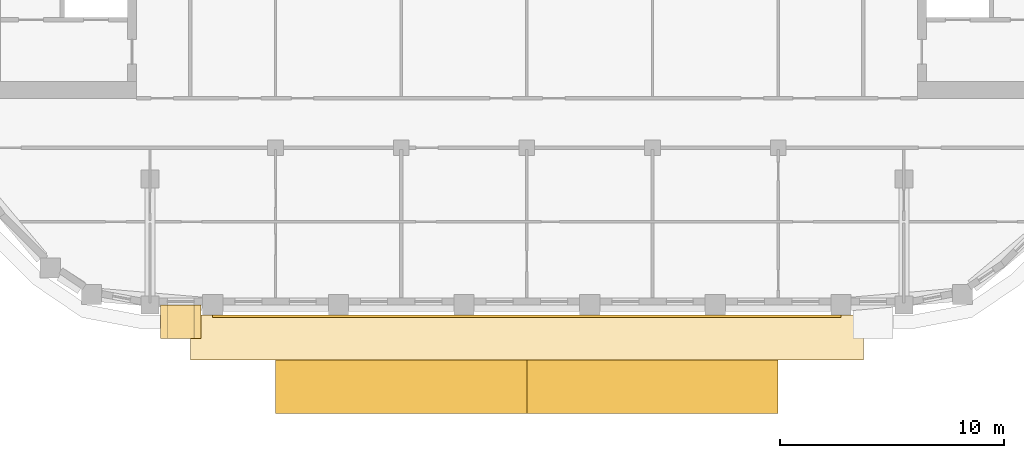
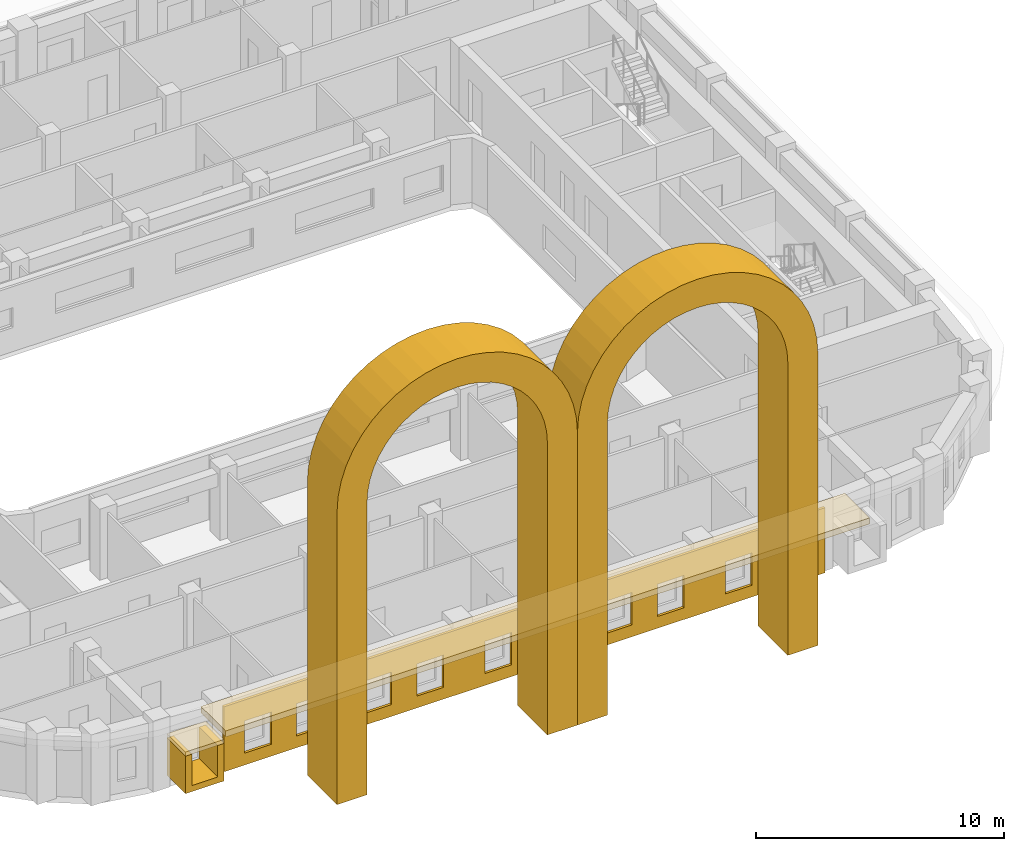
# One storey, part 9 of 18: 6 coverings.
"""IFC4 building model written with IfcOpenShell, lengths in metres."""

import ifcopenshell
import ifcopenshell.guid

model = None  # the IFC model being written
_history = None  # IfcOwnerHistory: only IFC2X3 demands one
_inside = {}  # id of a spatial element -> (the spatial element, [elements in it])
_under = {}  # id of a project, library or spatial element -> (it, [spatial elements below it])
_declared = {}  # id of a project -> (the project, [libraries it declares])
_typed = {}  # id of a type object -> (the type object, [elements of that type])
_made_of = {}  # id of a material, layer set ... -> (it, [elements and type objects made of it])


def new_model(schema):
    """Start an empty IFC model of exactly this schema.

    Asked for "IFC4X3", IfcOpenShell would pick the latest addendum, in which some entities
    have other attributes; the version numbers below select the first issue.
    IFC2X3 requires an IfcOwnerHistory on every rooted entity: one is made here for all.
    """
    global model, _history
    if schema == "IFC4X3":
        model = ifcopenshell.file(schema_version=(4, 3, 0, 0))
    else:
        model = ifcopenshell.file(schema=schema)
    _inside.clear()
    _under.clear()
    _declared.clear()
    _typed.clear()
    _made_of.clear()
    _history = None
    if model.schema == "IFC2X3":
        org = make("IfcOrganization", Name="unknown")
        user = make(
            "IfcPersonAndOrganization",
            ThePerson=make("IfcPerson", FamilyName="unknown"),
            TheOrganization=org,
        )
        app = make(
            "IfcApplication",
            ApplicationDeveloper=org,
            Version="unknown",
            ApplicationFullName="unknown",
            ApplicationIdentifier="unknown",
        )
        _history = make(
            "IfcOwnerHistory",
            OwningUser=user,
            OwningApplication=app,
            ChangeAction="ADDED",
            CreationDate=0,
        )
    return model


def make(cls, **values):
    """One entity of the class cls with the attributes given. An attribute that is None is left unset."""
    return model.create_entity(
        cls, **{name: value for name, value in values.items() if value is not None}
    )


def rooted(cls, **values):
    """An entity with a GlobalId (a new one), such as an element, a storey or a relation."""
    return make(cls, GlobalId=ifcopenshell.guid.new(), OwnerHistory=_history, **values)


def si_unit(unit_type, name, prefix=None):
    """IfcSIUnit, for example si_unit("LENGTHUNIT", "METRE", prefix="MILLI")."""
    return make("IfcSIUnit", UnitType=unit_type, Prefix=prefix, Name=name)


def assignment(units):
    """IfcUnitAssignment: the units of a project."""
    return None if units is None else make("IfcUnitAssignment", Units=units)


def point(xyz):
    """IfcCartesianPoint."""
    return None if xyz is None else make("IfcCartesianPoint", Coordinates=xyz)


def direction(xyz):
    """IfcDirection."""
    return None if xyz is None else make("IfcDirection", DirectionRatios=xyz)


def frame(location, z_axis=None, x_axis=None):
    """IfcAxis2Placement3D, a coordinate frame: its origin and axes. An axis left out is left unset."""
    return make(
        "IfcAxis2Placement3D",
        Location=point(location),
        Axis=direction(z_axis),
        RefDirection=direction(x_axis),
    )


def frame_2d(location, x_axis=None):
    """IfcAxis2Placement2D, a coordinate frame in the plane: its origin and x axis."""
    return make(
        "IfcAxis2Placement2D", Location=point(location), RefDirection=direction(x_axis)
    )


def origin():
    """The frame at (0, 0, 0) with its axes left unset."""
    return frame((0.0, 0.0, 0.0))


def origin_2d():
    """The frame at (0, 0) in the plane with its x axis left unset."""
    return frame_2d((0.0, 0.0))


def place(relative_to, where):
    """IfcLocalPlacement: puts the frame where relative to a parent placement (None: the world)."""
    return make(
        "IfcLocalPlacement", PlacementRelTo=relative_to, RelativePlacement=where
    )


def context(
    kind, dimensions, precision=None, world=None, true_north=None, identifier=None
):
    """IfcGeometricRepresentationContext, for example the 3D "Model" context."""
    return make(
        "IfcGeometricRepresentationContext",
        ContextIdentifier=identifier,
        ContextType=kind,
        CoordinateSpaceDimension=dimensions,
        Precision=precision,
        WorldCoordinateSystem=world,
        TrueNorth=true_north,
    )


def subcontext(parent, identifier, kind, view, scale=None):
    """IfcGeometricRepresentationSubContext, for example "Body" below "Model"."""
    return make(
        "IfcGeometricRepresentationSubContext",
        ContextIdentifier=identifier,
        ContextType=kind,
        ParentContext=parent,
        TargetScale=scale,
        TargetView=view,
    )


def project(units=None, contexts=None):
    """IfcProject with its units and contexts."""
    return rooted(
        "IfcProject",
        Name="project",
        RepresentationContexts=contexts,
        UnitsInContext=assignment(units),
    )


def spatial(cls, under=None, at=None, **own):
    """A site, building, storey or space (cls), placed at a placement, below another one or the project."""
    s = rooted(cls, ObjectPlacement=at, **own)
    if under is not None:
        _under.setdefault(under.id(), (under, []))[1].append(s)
    return s


def polyline(points):
    """IfcPolyline through the points."""
    return make("IfcPolyline", Points=[point(p) for p in points])


def profile(cls, at=None, kind="AREA", **sizes):
    """A parametric profile (cls). Its sizes go by their IFC names, for example OverallWidth=200.0."""
    return make(cls, ProfileType=kind, Position=at, **sizes)


def rectangle(**sizes):
    """IfcRectangleProfileDef."""
    return profile("IfcRectangleProfileDef", **sizes)


def outline(outer, holes=None, kind="AREA"):
    """IfcArbitraryClosedProfileDef: a profile drawn as a closed curve; with holes, ...WithVoids."""
    if holes is None:
        return make("IfcArbitraryClosedProfileDef", ProfileType=kind, OuterCurve=outer)
    return make(
        "IfcArbitraryProfileDefWithVoids",
        ProfileType=kind,
        OuterCurve=outer,
        InnerCurves=holes,
    )


def extrude(swept, where, along, depth):
    """IfcExtrudedAreaSolid: the profile swept, set in the frame where, extruded along a direction by depth."""
    return make(
        "IfcExtrudedAreaSolid",
        SweptArea=swept,
        Position=where,
        ExtrudedDirection=direction(along),
        Depth=depth,
    )


def shape(context_of_items, identifier, shape_type, items):
    """IfcShapeRepresentation: the items that make up one representation, for example the "Body"."""
    return make(
        "IfcShapeRepresentation",
        ContextOfItems=context_of_items,
        RepresentationIdentifier=identifier,
        RepresentationType=shape_type,
        Items=items,
    )


def material(Name=None, Category=None):
    """IfcMaterial."""
    return make("IfcMaterial", Name=Name, Category=Category)


def layer(
    of_material, thickness, ventilated=None, Name=None, Category=None, Priority=None
):
    """IfcMaterialLayer: one layer of a wall or slab, of a material (None: an air gap)."""
    return make(
        "IfcMaterialLayer",
        Material=of_material,
        LayerThickness=thickness,
        IsVentilated=ventilated,
        Name=Name,
        Category=Category,
        Priority=Priority,
    )


def layer_set(layers, Name=None):
    """IfcMaterialLayerSet."""
    return make("IfcMaterialLayerSet", MaterialLayers=layers, LayerSetName=Name)


def made_of(thing, what):
    """Note that an element or type object is made of a material, layer set ...; save() writes the relation."""
    if what is not None:
        _made_of.setdefault(what.id(), (what, []))[1].append(thing)
    return thing


def type_object(cls, material=None, **own):
    """A type object (cls), such as IfcWallType, which elements share."""
    return made_of(rooted(cls, **own), material)


def element(
    cls,
    number,
    at=None,
    inside=None,
    cuts=None,
    type_object=None,
    material=None,
    context=None,
    identifier="Body",
    shape_type=None,
    held_by="IfcProductDefinitionShape",
    body=None,
    shapes=None,
    **own,
):
    """One element of the class cls, such as IfcWall. Its Tag is "e" and its number.

    at: its placement. inside: the storey or other place that contains it. cuts: it is an
    opening in that element (IfcRelVoidsElement). A single representation is given by context,
    identifier, shape_type and body (its items); several are given by shapes. held_by: the class
    of the entity that holds the representations. save() writes the other relations.
    """
    e = rooted(cls, Tag="e%d" % number, ObjectPlacement=at, **own)
    if body is not None:
        shapes = [shape(context, identifier, shape_type, body)]
    if shapes is not None:
        e.Representation = make(held_by, Representations=shapes)
    if inside is not None:
        _inside.setdefault(inside.id(), (inside, []))[1].append(e)
    if cuts is not None:
        rooted(
            "IfcRelVoidsElement", RelatingBuildingElement=cuts, RelatedOpeningElement=e
        )
    if type_object is not None:
        _typed.setdefault(type_object.id(), (type_object, []))[1].append(e)
    return made_of(e, material)


def aggregate(whole, parts):
    """IfcRelAggregates: a whole, such as a stair, and the parts it consists of."""
    return rooted("IfcRelAggregates", RelatingObject=whole, RelatedObjects=parts)


def save(model, path):
    """Write the relations noted so far, then the file.

    IfcRelAggregates (storeys below a building ...), IfcRelContainedInSpatialStructure (elements
    in a storey), IfcRelDefinesByType, IfcRelAssociatesMaterial and IfcRelDeclares: one each for
    every whole, place, type object, material and project.
    """
    for whole, parts in _under.values():
        aggregate(whole, parts)
    for where, things in _inside.values():
        rooted(
            "IfcRelContainedInSpatialStructure",
            RelatedElements=things,
            RelatingStructure=where,
        )
    for kind, things in _typed.values():
        rooted("IfcRelDefinesByType", RelatedObjects=things, RelatingType=kind)
    for what, things in _made_of.values():
        rooted("IfcRelAssociatesMaterial", RelatedObjects=things, RelatingMaterial=what)
    for by, libraries in _declared.values():
        rooted("IfcRelDeclares", RelatingContext=by, RelatedDefinitions=libraries)
    model.write(path)


model = new_model("IFC4")

# Units and contexts
model_context = context("Model", 3, precision=1e-05, world=origin(), true_north=direction((0.0, 1.0)))
body_context = subcontext(model_context, "Body", "Model", "MODEL_VIEW")
ifc_project = project(units=[si_unit("LENGTHUNIT", "METRE"), si_unit("AREAUNIT", "SQUARE_METRE"), si_unit("VOLUMEUNIT", "CUBIC_METRE"), si_unit("PLANEANGLEUNIT", "RADIAN"), si_unit("MASSUNIT", "GRAM", prefix="KILO")], contexts=[model_context])

# Site, building, storey
site_placement = place(None, origin())
site = spatial("IfcSite", under=ifc_project, at=site_placement, CompositionType="ELEMENT")
building_placement = place(site_placement, origin())
building = spatial("IfcBuilding", under=site, at=building_placement, Name="Kiln Ring Residences", CompositionType="ELEMENT")
storey_placement = place(building_placement, frame((0.0, 0.0, 209.89990234375)))
storey = spatial("IfcBuildingStorey", under=building, at=storey_placement, Name="L54", CompositionType="ELEMENT", Elevation=209.89990234375)

# Coverings
ifc_material_1 = material(Name="Brick masonry, dark clay brick", Category="masonry")
ifc_layer_1 = layer(ifc_material_1, 1.39990234375)
ifc_layer_set_1 = layer_set([ifc_layer_1], Name="ARCH SURROUND 2400")
covering_type_1 = type_object("IfcCoveringType", Name="ARCH SURROUND 2400", PredefinedType="CLADDING", material=ifc_layer_set_1)
covering_1_placement = place(storey_placement, frame((0.0, -26.050048828125, 0.0), z_axis=(0.0, 0.0, 1.0), x_axis=(-1.0, 0.0, 0.0)))
element("IfcCovering", 1, at=covering_1_placement, inside=storey, type_object=covering_type_1, Name="ARCH SURROUND Z4 S2.1", PredefinedType="CLADDING", context=body_context, shape_type="SweptSolid", body=[
    extrude(outline(polyline([(11.199951171875, 0.0), (11.199951171875, 14.400146484375), (11.152099609375, 15.131103515625), (11.00927734375, 15.849609375), (10.773681640625, 16.543212890625), (10.44970703125, 17.2001953125), (10.042724609375, 17.80908203125), (9.559814453125, 18.35986328125), (9.009033203125, 18.843017578125), (8.39990234375, 19.249755859375), (7.742919921875, 19.57373046875), (7.04931640625, 19.809326171875), (6.330810546875, 19.9521484375), (5.60009765625, 20.0), (4.869140625, 19.9521484375), (4.150634765625, 19.809326171875), (3.45703125, 19.57373046875), (2.800048828125, 19.249755859375), (2.19091796875, 18.843017578125), (1.64013671875, 18.35986328125), (1.1572265625, 17.80908203125), (0.750244140625, 17.2001953125), (0.42626953125, 16.543212890625), (0.19091796875, 15.849609375), (0.0478515625, 15.131103515625), (0.0, 14.400146484375), (0.0, 0.0), (1.39990234375, 0.0), (1.39990234375, 14.400146484375), (1.435791015625, 14.9482421875), (1.543212890625, 15.487060546875), (1.7197265625, 16.00732421875), (1.962646484375, 16.5), (2.267822265625, 16.956787109375), (2.630126953125, 17.369873046875), (3.043212890625, 17.732177734375), (3.5, 18.037353515625), (3.99267578125, 18.280517578125), (4.512939453125, 18.45703125), (5.0517578125, 18.564208984375), (5.60009765625, 18.60009765625), (6.148193359375, 18.564208984375), (6.68701171875, 18.45703125), (7.207275390625, 18.280517578125), (7.699951171875, 18.037353515625), (8.15673828125, 17.732177734375), (8.56982421875, 17.369873046875), (8.93212890625, 16.956787109375), (9.2373046875, 16.5), (9.480224609375, 16.00732421875), (9.656982421875, 15.487060546875), (9.76416015625, 14.9482421875), (9.800048828125, 14.400146484375), (9.800048828125, 0.0), (11.199951171875, 0.0)])), frame((0.0, 1.199951171875, 0.0), z_axis=(0.0, -1.0, 0.0), x_axis=(1.0, 0.0, 0.0)), (0.0, 0.0, 1.0), 2.39990234375),
])
covering_2_placement = place(storey_placement, frame((11.199951171875, -26.050048828125, 0.0), z_axis=(0.0, 0.0, 1.0), x_axis=(-1.0, 0.0, 0.0)))
element("IfcCovering", 2, at=covering_2_placement, inside=storey, type_object=covering_type_1, Name="ARCH SURROUND Z4 S2.2", PredefinedType="CLADDING", context=body_context, shape_type="SweptSolid", body=[
    extrude(outline(polyline([(11.199951171875, 0.0), (11.199951171875, 14.400146484375), (11.152099609375, 15.131103515625), (11.00927734375, 15.849609375), (10.773681640625, 16.543212890625), (10.44970703125, 17.2001953125), (10.042724609375, 17.80908203125), (9.559814453125, 18.35986328125), (9.009033203125, 18.843017578125), (8.39990234375, 19.249755859375), (7.742919921875, 19.57373046875), (7.04931640625, 19.809326171875), (6.330810546875, 19.9521484375), (5.60009765625, 20.0), (4.869140625, 19.9521484375), (4.150634765625, 19.809326171875), (3.45703125, 19.57373046875), (2.800048828125, 19.249755859375), (2.19091796875, 18.843017578125), (1.64013671875, 18.35986328125), (1.1572265625, 17.80908203125), (0.750244140625, 17.2001953125), (0.42626953125, 16.543212890625), (0.19091796875, 15.849609375), (0.0478515625, 15.131103515625), (0.0, 14.400146484375), (0.0, 0.0), (1.39990234375, 0.0), (1.39990234375, 14.400146484375), (1.435791015625, 14.9482421875), (1.543212890625, 15.487060546875), (1.7197265625, 16.00732421875), (1.962646484375, 16.5), (2.267822265625, 16.956787109375), (2.630126953125, 17.369873046875), (3.043212890625, 17.732177734375), (3.5, 18.037353515625), (3.99267578125, 18.280517578125), (4.512939453125, 18.45703125), (5.0517578125, 18.564208984375), (5.60009765625, 18.60009765625), (6.148193359375, 18.564208984375), (6.68701171875, 18.45703125), (7.207275390625, 18.280517578125), (7.699951171875, 18.037353515625), (8.15673828125, 17.732177734375), (8.56982421875, 17.369873046875), (8.93212890625, 16.956787109375), (9.2373046875, 16.5), (9.480224609375, 16.00732421875), (9.656982421875, 15.487060546875), (9.76416015625, 14.9482421875), (9.800048828125, 14.400146484375), (9.800048828125, 0.0), (11.199951171875, 0.0)])), frame((0.0, 1.199951171875, 0.0), z_axis=(0.0, -1.0, 0.0), x_axis=(1.0, 0.0, 0.0)), (0.0, 0.0, 1.0), 2.39990234375),
])
ifc_material_2 = material(Name="Brick masonry, dark clay brick", Category="masonry")
ifc_layer_2 = layer(ifc_material_2, 0.300048828125)
ifc_layer_set_2 = layer_set([ifc_layer_2], Name="FRAME CHEEKS AND SILL 1500")
covering_type_2 = type_object("IfcCoveringType", Name="FRAME CHEEKS AND SILL 1500", PredefinedType="CLADDING", material=ifc_layer_set_2)
covering_3_placement = place(storey_placement, frame((-16.324951171875, -23.14990234375, 0.300048828125), z_axis=(0.0, 0.0, 1.0), x_axis=(1.0, 0.0, 0.0)))
element("IfcCovering", 3, at=covering_3_placement, inside=storey, type_object=covering_type_2, Name="FRAME L54", PredefinedType="CLADDING", context=body_context, shape_type="SweptSolid", body=[
    extrude(outline(polyline([(0.0, 0.0), (1.800048828125, 0.0), (1.800048828125, 1.85009765625), (1.5009765625, 1.85009765625), (1.5, 0.300048828125), (0.300048828125, 0.300048828125), (0.299072265625, 1.85009765625), (0.0, 1.85009765625), (0.0, 0.0)])), frame((0.0, 0.75, 0.0), z_axis=(0.0, -1.0, 0.0), x_axis=(1.0, 0.0, 0.0)), (0.0, 0.0, 1.0), 1.5),
])
ifc_material_3 = material(Name="Brick masonry, dark clay brick", Category="masonry")
ifc_layer_3 = layer(ifc_material_3, 0.199951171875)
ifc_layer_set_3 = layer_set([ifc_layer_3], Name="FRAME HEAD 1500")
covering_type_3 = type_object("IfcCoveringType", Name="FRAME HEAD 1500", PredefinedType="CLADDING", material=ifc_layer_set_3)
covering_4_placement = place(storey_placement, frame((-15.425048828125, -23.14990234375, 2.14990234375), z_axis=(0.0, 0.0, 1.0), x_axis=(1.0, 0.0, 0.0)))
element("IfcCovering", 4, at=covering_4_placement, inside=storey, type_object=covering_type_3, Name="FRAME HEAD L54", PredefinedType="CLADDING", context=body_context, shape_type="SweptSolid", body=[
    extrude(rectangle(XDim=1.800048828125, YDim=1.5, at=origin_2d()), origin(), (0.0, 0.0, 1.0), 0.199951171875),
])
ifc_material_4 = material(Name="Brick masonry, dark clay brick", Category="masonry")
ifc_layer_4 = layer(ifc_material_4, 0.1201171875)
ifc_layer_set_4 = layer_set([ifc_layer_4], Name="RAINSCREEN PANEL 120")
covering_type_4 = type_object("IfcCoveringType", Name="RAINSCREEN PANEL 120", PredefinedType="CLADDING", material=ifc_layer_set_4)
covering_5_placement = place(storey_placement, frame((-14.0, -22.909912109375, 0.0), z_axis=(0.0, 0.0, 1.0), x_axis=(1.0, 0.0, 0.0)))
element("IfcCovering", 5, at=covering_5_placement, inside=storey, type_object=covering_type_4, Name="RAINSCREEN L54", PredefinedType="CLADDING", context=body_context, shape_type="SweptSolid", body=[
    extrude(outline(polyline([(0.0, 0.0), (28.0, 0.0), (28.0, 3.2001953125), (0.0, 3.2001953125), (0.0, 0.0)]), holes=[polyline([(0.967529296875, 0.580078125), (2.20751953125, 0.580078125), (2.20751953125, 2.170166015625), (0.967529296875, 2.170166015625), (0.967529296875, 0.580078125)]), polyline([(3.392578125, 0.580078125), (4.632568359375, 0.580078125), (4.632568359375, 2.170166015625), (3.392578125, 2.170166015625), (3.392578125, 0.580078125)]), polyline([(6.5673828125, 0.580078125), (7.8076171875, 0.580078125), (7.8076171875, 2.170166015625), (6.5673828125, 2.170166015625), (6.5673828125, 0.580078125)]), polyline([(8.992431640625, 2.170166015625), (8.992431640625, 0.580078125), (10.232421875, 0.580078125), (10.232421875, 2.170166015625), (8.992431640625, 2.170166015625)]), polyline([(12.16748046875, 2.170166015625), (12.16748046875, 0.580078125), (13.407470703125, 0.580078125), (13.407470703125, 2.170166015625), (12.16748046875, 2.170166015625)]), polyline([(14.592529296875, 0.580078125), (15.83251953125, 0.580078125), (15.83251953125, 2.170166015625), (14.592529296875, 2.170166015625), (14.592529296875, 0.580078125)]), polyline([(17.767578125, 0.580078125), (19.007568359375, 0.580078125), (19.007568359375, 2.170166015625), (17.767578125, 2.170166015625), (17.767578125, 0.580078125)]), polyline([(20.1923828125, 0.580078125), (21.4326171875, 0.580078125), (21.4326171875, 2.170166015625), (20.1923828125, 2.170166015625), (20.1923828125, 0.580078125)]), polyline([(23.367431640625, 2.170166015625), (23.367431640625, 0.580078125), (24.607421875, 0.580078125), (24.607421875, 2.170166015625), (23.367431640625, 2.170166015625)]), polyline([(25.79248046875, 2.170166015625), (25.79248046875, 0.580078125), (27.032470703125, 0.580078125), (27.032470703125, 2.170166015625), (25.79248046875, 2.170166015625)])]), frame((0.0, 0.06005859375, 0.0), z_axis=(0.0, -1.0, 0.0), x_axis=(1.0, 0.0, 0.0)), (0.0, 0.0, 1.0), 0.1201171875),
])
ifc_material_5 = material(Name="Black powder-coated steel", Category="steel")
ifc_layer_5 = layer(ifc_material_5, 0.300048828125)
ifc_layer_set_5 = layer_set([ifc_layer_5], Name="SUNSHADE BAND 2000")
covering_type_5 = type_object("IfcCoveringType", Name="SUNSHADE BAND 2000", PredefinedType="CLADDING", material=ifc_layer_set_5)
covering_6_placement = place(storey_placement, frame((0.0, 0.0, 3.2001953125)))
element("IfcCovering", 6, at=covering_6_placement, inside=storey, type_object=covering_type_5, Name="SUNSHADE BAND L54", PredefinedType="CLADDING", context=body_context, shape_type="SweptSolid", body=[
    extrude(outline(polyline([(-15.0, -24.85009765625), (15.0, -24.85009765625), (15.0, -22.85009765625), (-15.0, -22.85009765625), (-15.0, -24.85009765625)])), origin(), (0.0, 0.0, 1.0), 0.2998046875),
])

save(model, "model.ifc")
